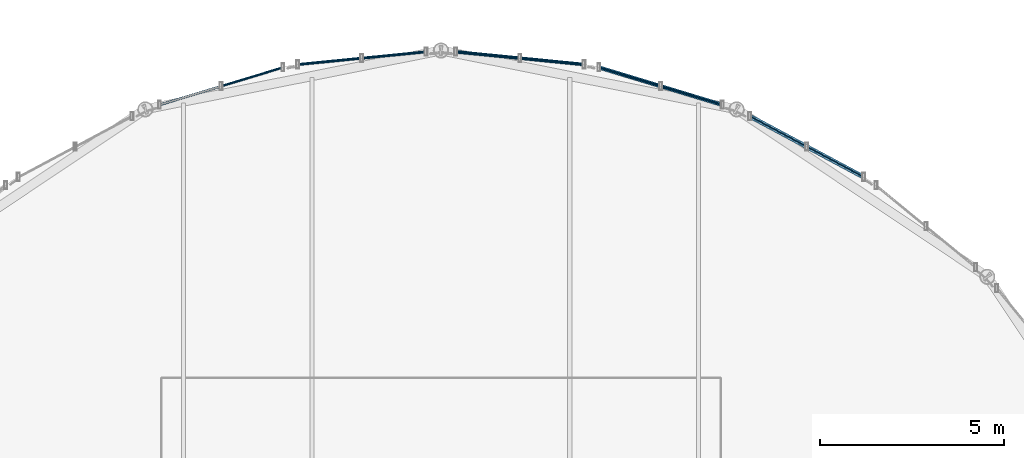
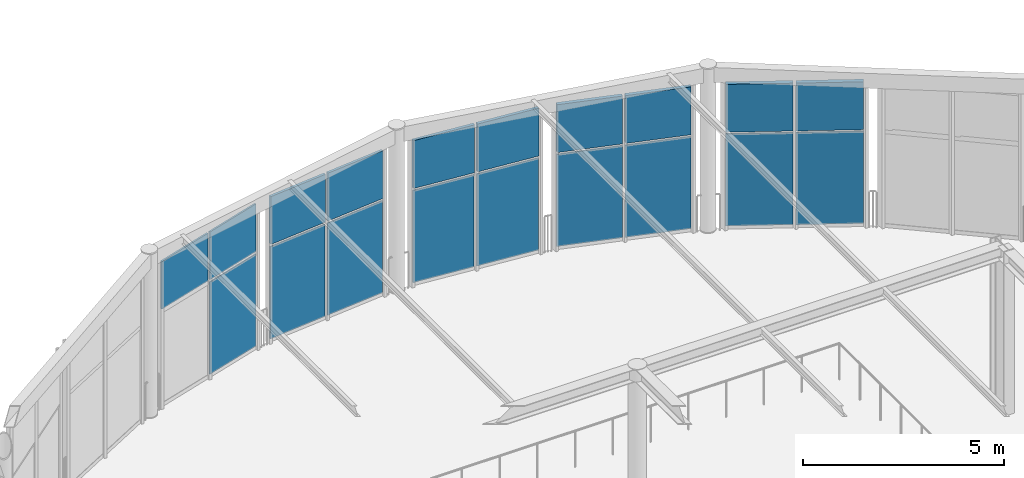
# One storey, part 103 of 195: 19 plates, 5 elements without a shape of their own.
"""IFC4 building model written with IfcOpenShell, lengths in metres."""

from ifc_helpers import new_model, si_unit, direction, frame, origin, origin_2d, place, context, subcontext, project, spatial, rectangle, extrude, material, layer, layer_set, type_object, element, aggregate, save


model = new_model("IFC4")

# Units and contexts
model_context = context("Model", 3, precision=1e-05, world=origin(), true_north=direction((0.0, 1.0)))
body_context = subcontext(model_context, "Body", "Model", "MODEL_VIEW")
ifc_project = project(units=[si_unit("LENGTHUNIT", "METRE"), si_unit("AREAUNIT", "SQUARE_METRE"), si_unit("VOLUMEUNIT", "CUBIC_METRE"), si_unit("PLANEANGLEUNIT", "RADIAN"), si_unit("MASSUNIT", "GRAM", prefix="KILO")], contexts=[model_context])

# Site, building, storey
site_placement = place(None, origin())
site = spatial("IfcSite", under=ifc_project, at=site_placement, CompositionType="ELEMENT")
building_placement = place(site_placement, origin())
building = spatial("IfcBuilding", under=site, at=building_placement, Name="Marlcrest Central Station", CompositionType="ELEMENT")
storey_placement = place(building_placement, frame((0.0, 0.0, 9.800048828125)))
storey = spatial("IfcBuildingStorey", under=building, at=storey_placement, Name="L02", CompositionType="ELEMENT", Elevation=9.800048828125)

# Curtain wall, plate
ifc_material_1 = material(Name="Anodised aluminium and hurricane laminated glass", Category="aluminium")
ifc_layer_1 = layer(ifc_material_1, 0.219970703125, Name="CW-U1")
ifc_layer_set_1 = layer_set([ifc_layer_1], Name="Anodised aluminium and hurricane laminated glass")
curtain_wall_type = type_object("IfcCurtainWallType", Name="CW-U1", PredefinedType="USERDEFINED", material=ifc_layer_set_1)
curtain_wall_1_placement = place(storey_placement, origin())
curtain_wall_1 = element("IfcCurtainWall", 1, at=curtain_wall_1_placement, inside=storey, type_object=curtain_wall_type, Name="cw-L02-0073", ObjectType="UNITISED_CURTAIN_WALL", PredefinedType="USERDEFINED")
ifc_material_2 = material(Name="Hurricane laminated solar-control glass", Category="glass")
ifc_layer_2 = layer(ifc_material_2, 0.031982421875, Name="CP-01")
ifc_layer_set_2 = layer_set([ifc_layer_2], Name="Hurricane laminated solar-control glass")
plate_type_1 = type_object("IfcPlateType", Name="CP-01", PredefinedType="CURTAIN_PANEL", material=ifc_layer_set_2)
plate_1_placement = place(storey_placement, frame((102.8671875, 130.78173828125, 0.080078125), z_axis=(0.0, 0.0, 1.0), x_axis=(0.956930202302, 0.290318080597, 0.0)))
plate_1 = element("IfcPlate", 2, at=plate_1_placement, type_object=plate_type_1, Name="cw-L02-0073-cp-lo-1", PredefinedType="CURTAIN_PANEL", context=body_context, shape_type="SweptSolid", body=[
    extrude(rectangle(XDim=1.67724609375, YDim=0.031982421875, at=origin_2d()), origin(), (0.0, 0.0, 1.0), 2.804931640625),
])

# Curtain wall, plates
curtain_wall_2_placement = place(storey_placement, origin())
curtain_wall_2 = element("IfcCurtainWall", 3, at=curtain_wall_2_placement, inside=storey, type_object=curtain_wall_type, Name="cw-L02-0074", ObjectType="UNITISED_CURTAIN_WALL", PredefinedType="USERDEFINED")
plate_2_placement = place(storey_placement, frame((104.98046875, 131.2021484375, 0.080078125), z_axis=(0.0, 0.0, 1.0), x_axis=(0.995172744192, 0.098138724349, 0.0)))
plate_2 = element("IfcPlate", 4, at=plate_2_placement, type_object=plate_type_1, Name="cw-L02-0074-cp-lo-0", PredefinedType="CURTAIN_PANEL", context=body_context, shape_type="SweptSolid", body=[
    extrude(rectangle(XDim=1.677490234375, YDim=0.031982421875, at=origin_2d()), origin(), (0.0, 0.0, 1.0), 2.804931640625),
])
plate_3_placement = place(storey_placement, frame((106.725341796875, 131.374267578125, 0.080078125), z_axis=(0.0, 0.0, 1.0), x_axis=(0.995172744192, 0.098138724349, 0.0)))
plate_3 = element("IfcPlate", 5, at=plate_3_placement, type_object=plate_type_1, Name="cw-L02-0074-cp-lo-1", PredefinedType="CURTAIN_PANEL", context=body_context, shape_type="SweptSolid", body=[
    extrude(rectangle(XDim=1.677490234375, YDim=0.031982421875, at=origin_2d()), origin(), (0.0, 0.0, 1.0), 2.804931640625),
])

curtain_wall_3_placement = place(storey_placement, origin())
curtain_wall_3 = element("IfcCurtainWall", 6, at=curtain_wall_3_placement, inside=storey, type_object=curtain_wall_type, Name="cw-L02-0075", ObjectType="UNITISED_CURTAIN_WALL", PredefinedType="USERDEFINED")
plate_4_placement = place(storey_placement, frame((109.274658203125, 131.374267578125, 0.080078125), z_axis=(0.0, 0.0, 1.0), x_axis=(0.995172744192, -0.098138724349, 0.0)))
plate_4 = element("IfcPlate", 7, at=plate_4_placement, type_object=plate_type_1, Name="cw-L02-0075-cp-lo-0", PredefinedType="CURTAIN_PANEL", context=body_context, shape_type="SweptSolid", body=[
    extrude(rectangle(XDim=1.677490234375, YDim=0.031982421875, at=origin_2d()), origin(), (0.0, 0.0, 1.0), 2.804931640625),
])
plate_5_placement = place(storey_placement, frame((111.01953125, 131.2021484375, 0.080078125), z_axis=(0.0, 0.0, 1.0), x_axis=(0.995172744192, -0.098138724349, 0.0)))
plate_5 = element("IfcPlate", 8, at=plate_5_placement, type_object=plate_type_1, Name="cw-L02-0075-cp-lo-1", PredefinedType="CURTAIN_PANEL", context=body_context, shape_type="SweptSolid", body=[
    extrude(rectangle(XDim=1.677490234375, YDim=0.031982421875, at=origin_2d()), origin(), (0.0, 0.0, 1.0), 2.804931640625),
])

curtain_wall_4_placement = place(storey_placement, origin())
curtain_wall_4 = element("IfcCurtainWall", 9, at=curtain_wall_4_placement, inside=storey, type_object=curtain_wall_type, Name="cw-L02-0076", ObjectType="UNITISED_CURTAIN_WALL", PredefinedType="USERDEFINED")
plate_6_placement = place(storey_placement, frame((113.1328125, 130.78173828125, 0.080078125), z_axis=(0.0, 0.0, 1.0), x_axis=(0.956930202302, -0.290318080597, 0.0)))
plate_6 = element("IfcPlate", 10, at=plate_6_placement, type_object=plate_type_1, Name="cw-L02-0076-cp-lo-0", PredefinedType="CURTAIN_PANEL", context=body_context, shape_type="SweptSolid", body=[
    extrude(rectangle(XDim=1.67724609375, YDim=0.031982421875, at=origin_2d()), origin(), (0.0, 0.0, 1.0), 2.804931640625),
])
plate_7_placement = place(storey_placement, frame((114.810546875, 130.272705078125, 0.080078125), z_axis=(0.0, 0.0, 1.0), x_axis=(0.956930202302, -0.290318080597, 0.0)))
plate_7 = element("IfcPlate", 11, at=plate_7_placement, type_object=plate_type_1, Name="cw-L02-0076-cp-lo-1", PredefinedType="CURTAIN_PANEL", context=body_context, shape_type="SweptSolid", body=[
    extrude(rectangle(XDim=1.67724609375, YDim=0.031982421875, at=origin_2d()), origin(), (0.0, 0.0, 1.0), 2.804931640625),
])

curtain_wall_5_placement = place(storey_placement, origin())
curtain_wall_5 = element("IfcCurtainWall", 12, at=curtain_wall_5_placement, inside=storey, type_object=curtain_wall_type, Name="cw-L02-0077", ObjectType="UNITISED_CURTAIN_WALL", PredefinedType="USERDEFINED")
plate_8_placement = place(storey_placement, frame((117.16552734375, 129.29736328125, 0.080078125), z_axis=(0.0, 0.0, 1.0), x_axis=(0.882003525167, -0.471242805349, 0.0)))
plate_8 = element("IfcPlate", 13, at=plate_8_placement, type_object=plate_type_1, Name="cw-L02-0077-cp-lo-0", PredefinedType="CURTAIN_PANEL", context=body_context, shape_type="SweptSolid", body=[
    extrude(rectangle(XDim=1.677490234375, YDim=0.031982421875, at=origin_2d()), origin(), (0.0, 0.0, 1.0), 2.804931640625),
])
plate_9_placement = place(storey_placement, frame((118.712158203125, 128.47119140625, 0.080078125), z_axis=(0.0, 0.0, 1.0), x_axis=(0.882003525167, -0.471242805349, 0.0)))
plate_9 = element("IfcPlate", 14, at=plate_9_placement, type_object=plate_type_1, Name="cw-L02-0077-cp-lo-1", PredefinedType="CURTAIN_PANEL", context=body_context, shape_type="SweptSolid", body=[
    extrude(rectangle(XDim=1.677490234375, YDim=0.031982421875, at=origin_2d()), origin(), (0.0, 0.0, 1.0), 2.804931640625),
])

# Plate
ifc_material_3 = material(Name="Insulated bronze-anodised aluminium spandrel panel", Category="aluminium")
ifc_layer_3 = layer(ifc_material_3, 0.050048828125, Name="CP-05")
ifc_layer_set_3 = layer_set([ifc_layer_3], Name="Insulated bronze-anodised aluminium spandrel panel")
plate_type_2 = type_object("IfcPlateType", Name="CP-05", PredefinedType="CURTAIN_PANEL", material=ifc_layer_set_3)
plate_10_placement = place(storey_placement, frame((101.189453125, 130.272705078125, 2.96484375), z_axis=(0.0, 0.0, 1.0), x_axis=(0.956930202302, 0.290318080597, 0.0)))
plate_10 = element("IfcPlate", 15, at=plate_10_placement, type_object=plate_type_2, Name="cw-L02-0073-cp-hi-0", PredefinedType="CURTAIN_PANEL", context=body_context, shape_type="SweptSolid", body=[
    extrude(rectangle(XDim=1.67724609375, YDim=0.050048828125, at=origin_2d()), origin(), (0.0, 0.0, 1.0), 1.455078125),
])

plate_11_placement = place(storey_placement, frame((102.8671875, 130.78173828125, 2.96484375), z_axis=(0.0, 0.0, 1.0), x_axis=(0.956930202302, 0.290318080597, 0.0)))
plate_11 = element("IfcPlate", 16, at=plate_11_placement, type_object=plate_type_2, Name="cw-L02-0073-cp-hi-1", PredefinedType="CURTAIN_PANEL", context=body_context, shape_type="SweptSolid", body=[
    extrude(rectangle(XDim=1.67724609375, YDim=0.050048828125, at=origin_2d()), origin(), (0.0, 0.0, 1.0), 1.455078125),
])

aggregate(curtain_wall_1, [plate_10, plate_1, plate_11])

ifc_material_4 = material(Name="Insulated acoustic spandrel panel")
ifc_layer_4 = layer(ifc_material_4, 0.074951171875, Name="CP-06")
ifc_layer_set_4 = layer_set([ifc_layer_4], Name="Insulated acoustic spandrel panel")
plate_type_3 = type_object("IfcPlateType", Name="CP-06", PredefinedType="CURTAIN_PANEL", material=ifc_layer_set_4)
plate_12_placement = place(storey_placement, frame((104.98046875, 131.2021484375, 2.96484375), z_axis=(0.0, 0.0, 1.0), x_axis=(0.995172744192, 0.098138724349, 0.0)))
plate_12 = element("IfcPlate", 17, at=plate_12_placement, type_object=plate_type_3, Name="cw-L02-0074-cp-hi-0", PredefinedType="CURTAIN_PANEL", context=body_context, shape_type="SweptSolid", body=[
    extrude(rectangle(XDim=1.677490234375, YDim=0.074951171875, at=origin_2d()), origin(), (0.0, 0.0, 1.0), 1.455078125),
])

plate_13_placement = place(storey_placement, frame((106.725341796875, 131.374267578125, 2.96484375), z_axis=(0.0, 0.0, 1.0), x_axis=(0.995172744192, 0.098138724349, 0.0)))
plate_13 = element("IfcPlate", 18, at=plate_13_placement, type_object=plate_type_3, Name="cw-L02-0074-cp-hi-1", PredefinedType="CURTAIN_PANEL", context=body_context, shape_type="SweptSolid", body=[
    extrude(rectangle(XDim=1.677490234375, YDim=0.074951171875, at=origin_2d()), origin(), (0.0, 0.0, 1.0), 1.455078125),
])

aggregate(curtain_wall_2, [plate_2, plate_12, plate_3, plate_13])

ifc_material_5 = material(Name="Insulated hurricane-rated spandrel panel")
ifc_layer_5 = layer(ifc_material_5, 0.090087890625, Name="CP-07")
ifc_layer_set_5 = layer_set([ifc_layer_5], Name="Insulated hurricane-rated spandrel panel")
plate_type_4 = type_object("IfcPlateType", Name="CP-07", PredefinedType="CURTAIN_PANEL", material=ifc_layer_set_5)
plate_14_placement = place(storey_placement, frame((109.274658203125, 131.374267578125, 2.96484375), z_axis=(0.0, 0.0, 1.0), x_axis=(0.995172744192, -0.098138724349, 0.0)))
plate_14 = element("IfcPlate", 19, at=plate_14_placement, type_object=plate_type_4, Name="cw-L02-0075-cp-hi-0", PredefinedType="CURTAIN_PANEL", context=body_context, shape_type="SweptSolid", body=[
    extrude(rectangle(XDim=1.677490234375, YDim=0.090087890625, at=origin_2d()), origin(), (0.0, 0.0, 1.0), 1.455078125),
])

plate_15_placement = place(storey_placement, frame((111.01953125, 131.2021484375, 2.96484375), z_axis=(0.0, 0.0, 1.0), x_axis=(0.995172744192, -0.098138724349, 0.0)))
plate_15 = element("IfcPlate", 20, at=plate_15_placement, type_object=plate_type_4, Name="cw-L02-0075-cp-hi-1", PredefinedType="CURTAIN_PANEL", context=body_context, shape_type="SweptSolid", body=[
    extrude(rectangle(XDim=1.677490234375, YDim=0.090087890625, at=origin_2d()), origin(), (0.0, 0.0, 1.0), 1.455078125),
])

aggregate(curtain_wall_3, [plate_4, plate_14, plate_5, plate_15])

ifc_material_6 = material(Name="Insulated shadow-box spandrel panel")
ifc_layer_6 = layer(ifc_material_6, 0.10498046875, Name="CP-08")
ifc_layer_set_6 = layer_set([ifc_layer_6], Name="Insulated shadow-box spandrel panel")
plate_type_5 = type_object("IfcPlateType", Name="CP-08", PredefinedType="CURTAIN_PANEL", material=ifc_layer_set_6)
plate_16_placement = place(storey_placement, frame((113.1328125, 130.78173828125, 2.96484375), z_axis=(0.0, 0.0, 1.0), x_axis=(0.956930202302, -0.290318080597, 0.0)))
plate_16 = element("IfcPlate", 21, at=plate_16_placement, type_object=plate_type_5, Name="cw-L02-0076-cp-hi-0", PredefinedType="CURTAIN_PANEL", context=body_context, shape_type="SweptSolid", body=[
    extrude(rectangle(XDim=1.67724609375, YDim=0.10498046875, at=origin_2d()), origin(), (0.0, 0.0, 1.0), 1.455078125),
])

plate_17_placement = place(storey_placement, frame((114.810546875, 130.272705078125, 2.96484375), z_axis=(0.0, 0.0, 1.0), x_axis=(0.956930202302, -0.290318080597, 0.0)))
plate_17 = element("IfcPlate", 22, at=plate_17_placement, type_object=plate_type_5, Name="cw-L02-0076-cp-hi-1", PredefinedType="CURTAIN_PANEL", context=body_context, shape_type="SweptSolid", body=[
    extrude(rectangle(XDim=1.67724609375, YDim=0.10498046875, at=origin_2d()), origin(), (0.0, 0.0, 1.0), 1.455078125),
])

aggregate(curtain_wall_4, [plate_6, plate_16, plate_7, plate_17])

ifc_material_7 = material(Name="Insulated fire-safing spandrel panel")
ifc_layer_7 = layer(ifc_material_7, 0.1201171875, Name="CP-09")
ifc_layer_set_7 = layer_set([ifc_layer_7], Name="Insulated fire-safing spandrel panel")
plate_type_6 = type_object("IfcPlateType", Name="CP-09", PredefinedType="CURTAIN_PANEL", material=ifc_layer_set_7)
plate_18_placement = place(storey_placement, frame((117.16552734375, 129.29736328125, 2.96484375), z_axis=(0.0, 0.0, 1.0), x_axis=(0.882003525167, -0.471242805349, 0.0)))
plate_18 = element("IfcPlate", 23, at=plate_18_placement, type_object=plate_type_6, Name="cw-L02-0077-cp-hi-0", PredefinedType="CURTAIN_PANEL", context=body_context, shape_type="SweptSolid", body=[
    extrude(rectangle(XDim=1.677490234375, YDim=0.1201171875, at=origin_2d()), origin(), (0.0, 0.0, 1.0), 1.455078125),
])

plate_19_placement = place(storey_placement, frame((118.712158203125, 128.47119140625, 2.96484375), z_axis=(0.0, 0.0, 1.0), x_axis=(0.882003525167, -0.471242805349, 0.0)))
plate_19 = element("IfcPlate", 24, at=plate_19_placement, type_object=plate_type_6, Name="cw-L02-0077-cp-hi-1", PredefinedType="CURTAIN_PANEL", context=body_context, shape_type="SweptSolid", body=[
    extrude(rectangle(XDim=1.677490234375, YDim=0.1201171875, at=origin_2d()), origin(), (0.0, 0.0, 1.0), 1.455078125),
])

aggregate(curtain_wall_5, [plate_8, plate_18, plate_9, plate_19])

save(model, "model.ifc")
